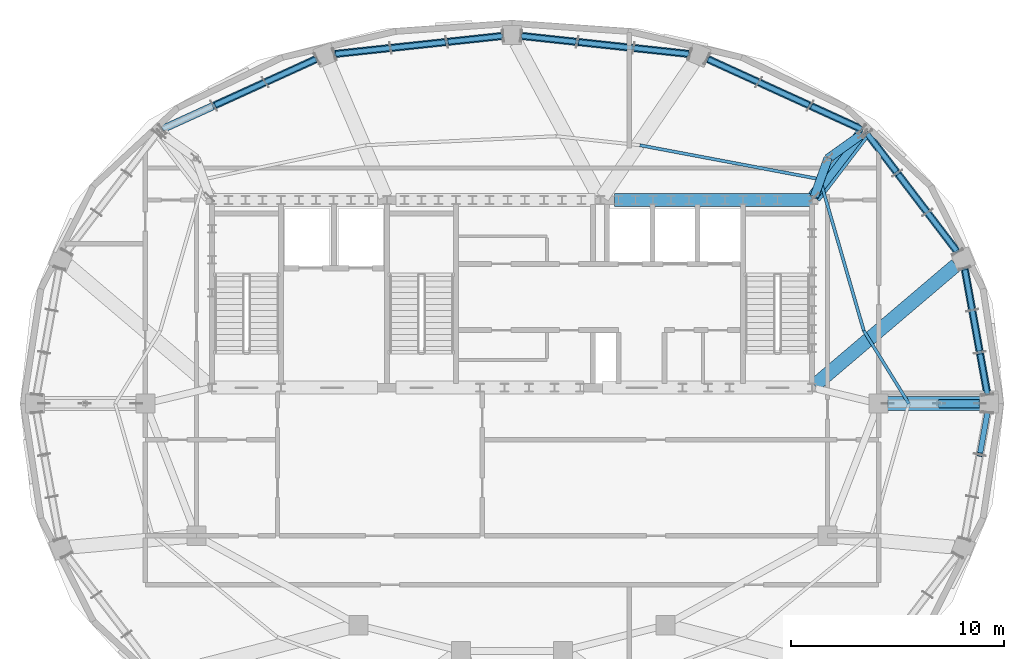
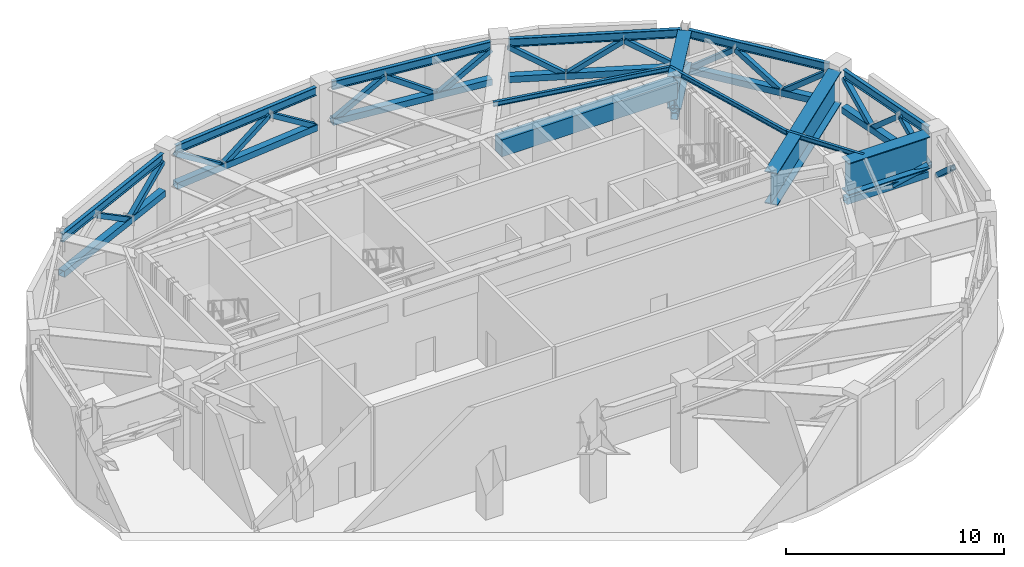
# One storey, part 3 of 15: 29 members, 13 beams.
"""IFC4 building model written with IfcOpenShell, lengths in metres."""

from ifc_helpers import new_model, si_unit, direction, frame, origin, origin_2d, place, context, subcontext, project, spatial, rectangle, hollow_rectangle, hollow_circle, i_section, extrude, material, material_profile, profile_set, type_object, element, save


model = new_model("IFC4")

# Units and contexts
model_context = context("Model", 3, precision=1e-05, world=origin(), true_north=direction((0.0, 1.0)))
body_context = subcontext(model_context, "Body", "Model", "MODEL_VIEW")
ifc_project = project(units=[si_unit("LENGTHUNIT", "METRE"), si_unit("AREAUNIT", "SQUARE_METRE"), si_unit("VOLUMEUNIT", "CUBIC_METRE"), si_unit("PLANEANGLEUNIT", "RADIAN"), si_unit("MASSUNIT", "GRAM", prefix="KILO")], contexts=[model_context])

# Site, building, storey
site_placement = place(None, origin())
site = spatial("IfcSite", under=ifc_project, at=site_placement, CompositionType="ELEMENT")
building_placement = place(site_placement, origin())
building = spatial("IfcBuilding", under=site, at=building_placement, Name="Haldorwick Loom Tower", CompositionType="ELEMENT")
storey_placement = place(building_placement, frame((0.0, 0.0, 286.5)))
storey = spatial("IfcBuildingStorey", under=building, at=storey_placement, Name="L77", CompositionType="ELEMENT", Elevation=286.5)

# Beams
ifc_material_1 = material(Name="Concrete C50 (50 MPa)", Category="concrete")
ifc_material_profile_1 = material_profile(ifc_material_1, rectangle(XDim=0.60009765625, YDim=0.949951171875, at=origin_2d()), Name="RC600X950", Category="concrete")
ifc_profile_set_1 = profile_set([ifc_material_profile_1], Name="Concrete C50 (50 MPa)")
beam_type_1 = type_object("IfcBeamType", Name="STR-BM-CB950", PredefinedType="LINTEL", material=ifc_profile_set_1)
beam_1_placement = place(storey_placement, frame((40.800048828125, 35.550048828125, 4.2451171875), z_axis=(1.0, 0.0, 0.0), x_axis=(0.0, 1.0, 0.0)))
element("IfcBeam", 1, at=beam_1_placement, inside=storey, type_object=beam_type_1, Name="L77 Core Coupling Beam CB-N3", PredefinedType="LINTEL", context=body_context, shape_type="SweptSolid", body=[
    extrude(rectangle(XDim=0.60009765625, YDim=0.949951171875, at=origin_2d()), origin(), (0.0, 0.0, 1.0), 9.300048828125),
])
ifc_material_2 = material(Name="Steel CSA G40.21 350W", Category="steel")
ifc_material_profile_2 = material_profile(ifc_material_2, i_section(OverallWidth=0.14599609375, OverallDepth=0.258056640625, WebThickness=0.006103515625, FlangeThickness=0.009033203125, at=origin_2d()), Name="W250X33", Category="steel")
ifc_profile_set_2 = profile_set([ifc_material_profile_2], Name="Steel CSA G40.21 350W")
beam_type_2 = type_object("IfcBeamType", Name="STR-BM-J250", PredefinedType="JOIST", material=ifc_profile_set_2)
beam_2_placement = place(storey_placement, frame((54.61669921875, 26.0, 4.591064453125), z_axis=(-0.525703769437, 0.850667706452, 0.0), x_axis=(-0.850667706452, -0.525703769437, 0.0)))
element("IfcBeam", 2, at=beam_2_placement, inside=storey, type_object=beam_type_2, Name="L77 Mid-Bay Secondary Joist 1", PredefinedType="JOIST", context=body_context, shape_type="SweptSolid", body=[
    extrude(i_section(OverallWidth=0.14599609375, OverallDepth=0.258056640625, WebThickness=0.006103515625, FlangeThickness=0.009033203125, at=origin_2d()), origin(), (0.0, 0.0, 1.0), 4.01708984375),
])
beam_3_placement = place(storey_placement, frame((52.5048828125, 29.417236328125, 4.591064453125), z_axis=(-0.27798758119, 0.96058466816, 0.0), x_axis=(-0.96058466816, -0.27798758119, 0.0)))
element("IfcBeam", 3, at=beam_3_placement, inside=storey, type_object=beam_type_2, Name="L77 Mid-Bay Secondary Joist 2", PredefinedType="JOIST", context=body_context, shape_type="SweptSolid", body=[
    extrude(i_section(OverallWidth=0.14599609375, OverallDepth=0.258056640625, WebThickness=0.006103515625, FlangeThickness=0.009033203125, at=origin_2d()), origin(), (0.0, 0.0, 1.0), 7.400146484375),
])
beam_4_placement = place(storey_placement, frame((50.44775390625, 36.525634765625, 4.591064453125), z_axis=(-0.982664581525, 0.185392341308, 0.0), x_axis=(-0.185392341308, -0.982664581525, 0.0)))
element("IfcBeam", 4, at=beam_4_placement, inside=storey, type_object=beam_type_2, Name="L77 Mid-Bay Secondary Joist 3", PredefinedType="JOIST", context=body_context, shape_type="SweptSolid", body=[
    extrude(i_section(OverallWidth=0.14599609375, OverallDepth=0.258056640625, WebThickness=0.006103515625, FlangeThickness=0.009033203125, at=origin_2d()), origin(), (0.0, 0.0, 1.0), 8.599365234375),
])
ifc_material_profile_3 = material_profile(ifc_material_2, i_section(OverallWidth=0.193115234375, OverallDepth=0.466064453125, WebThickness=0.011474609375, FlangeThickness=0.01904296875, at=origin_2d()), Name="W460X97", Category="steel")
ifc_profile_set_3 = profile_set([ifc_material_profile_3], Name="Steel CSA G40.21 350W")
beam_type_3 = type_object("IfcBeamType", Name="STR-BM-SP460", PredefinedType="SPANDREL", material=ifc_profile_set_3)
beam_5_placement = place(storey_placement, frame((58.30517578125, 26.418212890625, 4.487060546875), z_axis=(-0.177809893073, 0.984064856565, 0.0), x_axis=(-0.984064856565, -0.177809893073, 0.0)))
element("IfcBeam", 5, at=beam_5_placement, inside=storey, type_object=beam_type_3, Name="L77 Perimeter Spandrel 1", PredefinedType="SPANDREL", context=body_context, shape_type="SweptSolid", body=[
    extrude(i_section(OverallWidth=0.193115234375, OverallDepth=0.466064453125, WebThickness=0.011474609375, FlangeThickness=0.01904296875, at=origin_2d()), origin(), (0.0, 0.0, 1.0), 6.033203125),
])
beam_6_placement = place(storey_placement, frame((56.899169921875, 33.111572265625, 4.487060546875), z_axis=(-0.606384376075, 0.795171672315, 0.0), x_axis=(-0.795171672315, -0.606384376075, 0.0)))
element("IfcBeam", 6, at=beam_6_placement, inside=storey, type_object=beam_type_3, Name="L77 Perimeter Spandrel 2", PredefinedType="SPANDREL", context=body_context, shape_type="SweptSolid", body=[
    extrude(i_section(OverallWidth=0.193115234375, OverallDepth=0.466064453125, WebThickness=0.011474609375, FlangeThickness=0.01904296875, at=origin_2d()), origin(), (0.0, 0.0, 1.0), 6.984619140625),
])
beam_7_placement = place(storey_placement, frame((52.40380859375, 38.873046875, 4.487060546875), z_axis=(-0.910060964072, 0.414474416185, 0.0), x_axis=(-0.414474416185, -0.910060964072, 0.0)))
element("IfcBeam", 7, at=beam_7_placement, inside=storey, type_object=beam_type_3, Name="L77 Perimeter Spandrel 3", PredefinedType="SPANDREL", context=body_context, shape_type="SweptSolid", body=[
    extrude(i_section(OverallWidth=0.193115234375, OverallDepth=0.466064453125, WebThickness=0.011474609375, FlangeThickness=0.01904296875, at=origin_2d()), origin(), (0.0, 0.0, 1.0), 7.97021484375),
])
for number, where, z_axis, x_axis, name in (
    (8, (44.3408203125, 42.398193359375, 4.487060546875), (-0.994266744602, 0.106928202916, 0.0), (-0.106928202916, -0.994266744602, 0.0), "L77 Perimeter Spandrel 4"),
    (9, (35.577392578125, 43.249755859375, 4.487060546875), (-0.994266744602, -0.106928202916, 0.0), (0.106928202916, -0.994266744602, 0.0), "L77 Perimeter Spandrel 5"),
):
    element("IfcBeam", number, at=place(storey_placement, frame(where, z_axis=z_axis, x_axis=x_axis)), inside=storey, type_object=beam_type_3, Name=name, PredefinedType="SPANDREL", context=body_context, shape_type="SweptSolid", body=[
        extrude(i_section(OverallWidth=0.193115234375, OverallDepth=0.466064453125, WebThickness=0.011474609375, FlangeThickness=0.01904296875, at=origin_2d()), origin(), (0.0, 0.0, 1.0), 7.9638671875),
    ])
beam_8_placement = place(storey_placement, frame((26.849609375, 42.176513671875, 4.487060546875), z_axis=(-0.910060964072, -0.414474416185, 0.0), x_axis=(0.414474416185, -0.910060964072, 0.0)))
element("IfcBeam", 10, at=beam_8_placement, inside=storey, type_object=beam_type_3, Name="L77 Perimeter Spandrel 6", PredefinedType="SPANDREL", context=body_context, shape_type="SweptSolid", body=[
    extrude(i_section(OverallWidth=0.193115234375, OverallDepth=0.466064453125, WebThickness=0.011474609375, FlangeThickness=0.01904296875, at=origin_2d()), origin(), (0.0, 0.0, 1.0), 7.97021484375),
])
ifc_material_3 = material(Name="Steel CSA G40.21 350WT", Category="steel")
ifc_material_profile_4 = material_profile(ifc_material_3, i_section(OverallWidth=0.64990234375, OverallDepth=1.800048828125, WebThickness=0.02587890625, FlangeThickness=0.048095703125, at=origin_2d()), Name="WWF1800X650", Category="steel")
ifc_profile_set_4 = profile_set([ifc_material_profile_4], Name="Steel CSA G40.21 350WT")
beam_type_4 = type_object("IfcBeamType", Name="STR-BM-TG1800", PredefinedType="BEAM", material=ifc_profile_set_4)
beam_9_placement = place(storey_placement, frame((53.625, 26.0, 3.820068359375), z_axis=(1.0, 0.0, 0.0), x_axis=(0.0, 1.0, 0.0)))
element("IfcBeam", 11, at=beam_9_placement, inside=storey, type_object=beam_type_4, Name="L77 Setback Inner Transfer Girder 1", PredefinedType="BEAM", context=body_context, shape_type="SweptSolid", body=[
    extrude(i_section(OverallWidth=0.64990234375, OverallDepth=1.800048828125, WebThickness=0.02587890625, FlangeThickness=0.048095703125, at=origin_2d()), origin(), (0.0, 0.0, 1.0), 4.330810546875),
])
beam_10_placement = place(storey_placement, frame((50.20068359375, 26.861083984375, 3.820068359375), z_axis=(0.761954542494, 0.647630508216, 0.0), x_axis=(-0.647630508216, 0.761954542494, 0.0)))
element("IfcBeam", 12, at=beam_10_placement, inside=storey, type_object=beam_type_4, Name="L77 Setback Inner Transfer Girder 2", PredefinedType="BEAM", context=body_context, shape_type="SweptSolid", body=[
    extrude(i_section(OverallWidth=0.64990234375, OverallDepth=1.800048828125, WebThickness=0.02587890625, FlangeThickness=0.048095703125, at=origin_2d()), origin(), (0.0, 0.0, 1.0), 8.704345703125),
])
beam_11_placement = place(storey_placement, frame((50.17431640625, 35.686279296875, 3.820068359375), z_axis=(0.607923320425, 0.793995740847, 0.0), x_axis=(-0.793995740847, 0.607923320425, 0.0)))
element("IfcBeam", 13, at=beam_11_placement, inside=storey, type_object=beam_type_4, Name="L77 Setback Inner Transfer Girder 3", PredefinedType="BEAM", context=body_context, shape_type="SweptSolid", body=[
    extrude(i_section(OverallWidth=0.64990234375, OverallDepth=1.800048828125, WebThickness=0.02587890625, FlangeThickness=0.048095703125, at=origin_2d()), origin(), (0.0, 0.0, 1.0), 3.75244140625),
])

# Members
ifc_material_profile_5 = material_profile(ifc_material_2, hollow_rectangle(XDim=0.25390625, YDim=0.25390625, WallThickness=0.0126953125, at=origin_2d()), Name="HSS254X254X13", Category="steel")
ifc_profile_set_5 = profile_set([ifc_material_profile_5], Name="Steel CSA G40.21 350W")
member_type_1 = type_object("IfcMemberType", Name="STR-MEM-BR254", PredefinedType="BRACE", material=ifc_profile_set_5)
for number, where, z_axis, x_axis, name in (
    (14, (58.30517578125, 26.418212890625, 2.5), (-0.134035654737, 0.741633458906, 0.65727791374), (-0.984057775146, -0.177849079767, 0.0), "L77 Perimeter Belt Truss Web Diagonal 1-1"),
    (15, (57.947509765625, 28.397216796875, 4.25390625), (-0.133945804873, 0.741642550753, -0.657285971454), (-0.984079015025, -0.177731517147, 0.0), "L77 Perimeter Belt Truss Web Diagonal 1-2"),
    (16, (57.590087890625, 30.376220703125, 2.5), (-0.134035654737, 0.741633458906, 0.65727791374), (-0.984057775146, -0.177849079767, 0.0), "L77 Perimeter Belt Truss Web Diagonal 1-3"),
):
    element("IfcMember", number, at=place(storey_placement, frame(where, z_axis=z_axis, x_axis=x_axis)), inside=storey, type_object=member_type_1, Name=name, PredefinedType="BRACE", context=body_context, shape_type="SweptSolid", body=[
        extrude(hollow_rectangle(XDim=0.25390625, YDim=0.25390625, WallThickness=0.0126953125, at=origin_2d()), origin(), (0.0, 0.0, 1.0), 2.66845703125),
    ])
member_1_placement = place(storey_placement, frame((56.899169921875, 33.111572265625, 4.25390625), z_axis=(-0.484353249728, 0.635111653586, -0.601693540731), x_axis=(-0.795154818191, -0.606406476803, 0.0)))
element("IfcMember", 17, at=member_1_placement, inside=storey, type_object=member_type_1, Name="L77 Perimeter Belt Truss Web Diagonal 2-1", PredefinedType="BRACE", context=body_context, shape_type="SweptSolid", body=[
    extrude(hollow_rectangle(XDim=0.25390625, YDim=0.25390625, WallThickness=0.0126953125, at=origin_2d()), origin(), (0.0, 0.0, 1.0), 2.9150390625),
])
member_2_placement = place(storey_placement, frame((55.4873046875, 34.962890625, 2.5), z_axis=(-0.484289139842, 0.635137417403, 0.601717948915), x_axis=(-0.795205380865, -0.606340170402, 0.0)))
element("IfcMember", 18, at=member_2_placement, inside=storey, type_object=member_type_1, Name="L77 Perimeter Belt Truss Web Diagonal 2-2", PredefinedType="BRACE", context=body_context, shape_type="SweptSolid", body=[
    extrude(hollow_rectangle(XDim=0.25390625, YDim=0.25390625, WallThickness=0.0126953125, at=origin_2d()), origin(), (0.0, 0.0, 1.0), 2.914794921875),
])
member_3_placement = place(storey_placement, frame((54.07568359375, 36.814208984375, 4.25390625), z_axis=(-0.484353249728, 0.635111653586, -0.601693540731), x_axis=(-0.795154818191, -0.606406476803, 0.0)))
element("IfcMember", 19, at=member_3_placement, inside=storey, type_object=member_type_1, Name="L77 Perimeter Belt Truss Web Diagonal 2-3", PredefinedType="BRACE", context=body_context, shape_type="SweptSolid", body=[
    extrude(hollow_rectangle(XDim=0.25390625, YDim=0.25390625, WallThickness=0.0126953125, at=origin_2d()), origin(), (0.0, 0.0, 1.0), 2.9150390625),
])
member_4_placement = place(storey_placement, frame((52.40380859375, 38.873046875, 2.5), z_axis=(-0.759462024958, 0.345949025001, 0.550941652762), x_axis=(-0.414536708105, -0.910032591523, 0.0)))
element("IfcMember", 20, at=member_4_placement, inside=storey, type_object=member_type_1, Name="L77 Perimeter Belt Truss Web Diagonal 3-1", PredefinedType="BRACE", context=body_context, shape_type="SweptSolid", body=[
    extrude(hollow_rectangle(XDim=0.25390625, YDim=0.25390625, WallThickness=0.0126953125, at=origin_2d()), origin(), (0.0, 0.0, 1.0), 3.183349609375),
])
member_5_placement = place(storey_placement, frame((49.986083984375, 39.974365234375, 4.25390625), z_axis=(-0.759514624974, 0.345861364967, -0.550924178697), x_axis=(-0.414425940169, -0.91008304023, 0.0)))
element("IfcMember", 21, at=member_5_placement, inside=storey, type_object=member_type_1, Name="L77 Perimeter Belt Truss Web Diagonal 3-2", PredefinedType="BRACE", context=body_context, shape_type="SweptSolid", body=[
    extrude(hollow_rectangle(XDim=0.25390625, YDim=0.25390625, WallThickness=0.0126953125, at=origin_2d()), origin(), (0.0, 0.0, 1.0), 3.18359375),
])
member_6_placement = place(storey_placement, frame((47.568115234375, 41.075439453125, 2.5), z_axis=(-0.75948217271, 0.345881510545, 0.550956268681), x_axis=(-0.414460600356, -0.91006725617, 0.0)))
element("IfcMember", 22, at=member_6_placement, inside=storey, type_object=member_type_1, Name="L77 Perimeter Belt Truss Web Diagonal 3-3", PredefinedType="BRACE", context=body_context, shape_type="SweptSolid", body=[
    extrude(hollow_rectangle(XDim=0.25390625, YDim=0.25390625, WallThickness=0.0126953125, at=origin_2d()), origin(), (0.0, 0.0, 1.0), 3.183349609375),
])
for number, where, z_axis, x_axis, name in (
    (23, (44.3408203125, 42.398193359375, 4.25390625), (-0.829561642325, 0.089163872758, -0.551250655671), (-0.106867591297, -0.994273261197, 0.0), "L77 Perimeter Belt Truss Web Diagonal 4-1"),
    (24, (41.701416015625, 42.681884765625, 2.5), (-0.829555964229, 0.089239995042, 0.551246882529), (-0.106958508278, -0.994263484951, 0.0), "L77 Perimeter Belt Truss Web Diagonal 4-2"),
    (25, (39.06201171875, 42.9658203125, 4.25390625), (-0.829555964229, 0.089239995042, -0.551246882529), (-0.106958508278, -0.994263484951, 0.0), "L77 Perimeter Belt Truss Web Diagonal 4-3"),
    (26, (35.577392578125, 43.249755859375, 2.5), (-0.829555964229, -0.089239995042, 0.551246882529), (0.106958508278, -0.994263484951, 0.0), "L77 Perimeter Belt Truss Web Diagonal 5-1"),
    (27, (32.93798828125, 42.9658203125, 4.25390625), (-0.829555964229, -0.089239995042, -0.551246882529), (0.106958508278, -0.994263484951, 0.0), "L77 Perimeter Belt Truss Web Diagonal 5-2"),
    (28, (30.298583984375, 42.681884765625, 2.5), (-0.829561642325, -0.089163872758, 0.551250655671), (0.106867591297, -0.994273261197, 0.0), "L77 Perimeter Belt Truss Web Diagonal 5-3"),
):
    element("IfcMember", number, at=place(storey_placement, frame(where, z_axis=z_axis, x_axis=x_axis)), inside=storey, type_object=member_type_1, Name=name, PredefinedType="BRACE", context=body_context, shape_type="SweptSolid", body=[
        extrude(hollow_rectangle(XDim=0.25390625, YDim=0.25390625, WallThickness=0.0126953125, at=origin_2d()), origin(), (0.0, 0.0, 1.0), 3.181640625),
    ])
member_7_placement = place(storey_placement, frame((26.849609375, 42.176513671875, 4.25390625), z_axis=(-0.75948217271, -0.345881510545, -0.550956268681), x_axis=(0.414460600356, -0.91006725617, 0.0)))
element("IfcMember", 29, at=member_7_placement, inside=storey, type_object=member_type_1, Name="L77 Perimeter Belt Truss Web Diagonal 6-1", PredefinedType="BRACE", context=body_context, shape_type="SweptSolid", body=[
    extrude(hollow_rectangle(XDim=0.25390625, YDim=0.25390625, WallThickness=0.0126953125, at=origin_2d()), origin(), (0.0, 0.0, 1.0), 3.183349609375),
])
member_8_placement = place(storey_placement, frame((24.431884765625, 41.075439453125, 2.5), z_axis=(-0.759514624974, -0.345861364967, 0.550924178697), x_axis=(0.414425940169, -0.91008304023, 0.0)))
element("IfcMember", 30, at=member_8_placement, inside=storey, type_object=member_type_1, Name="L77 Perimeter Belt Truss Web Diagonal 6-2", PredefinedType="BRACE", context=body_context, shape_type="SweptSolid", body=[
    extrude(hollow_rectangle(XDim=0.25390625, YDim=0.25390625, WallThickness=0.0126953125, at=origin_2d()), origin(), (0.0, 0.0, 1.0), 3.18359375),
])
member_9_placement = place(storey_placement, frame((57.947509765625, 23.602783203125, 4.25390625), z_axis=(0.134035654737, 0.741633458906, -0.65727791374), x_axis=(-0.984057775146, 0.177849079767, 0.0)))
element("IfcMember", 31, at=member_9_placement, inside=storey, type_object=member_type_1, Name="L77 Perimeter Belt Truss Web Diagonal 16-3", PredefinedType="BRACE", context=body_context, shape_type="SweptSolid", body=[
    extrude(hollow_rectangle(XDim=0.25390625, YDim=0.25390625, WallThickness=0.0126953125, at=origin_2d()), origin(), (0.0, 0.0, 1.0), 2.66845703125),
])
ifc_material_profile_6 = material_profile(ifc_material_2, hollow_circle(Radius=0.203125, WallThickness=0.0126953125, at=origin_2d()), Name="HSS406X13", Category="steel")
ifc_profile_set_6 = profile_set([ifc_material_profile_6], Name="Steel CSA G40.21 350W")
member_type_2 = type_object("IfcMemberType", Name="STR-MEM-BR406C", PredefinedType="BRACE", material=ifc_profile_set_6)
member_10_placement = place(storey_placement, frame((56.03369140625, 26.0, 2.5), z_axis=(0.976957458793, 0.0, 0.2134341203), x_axis=(0.0, 1.0, 0.0)))
element("IfcMember", 32, at=member_10_placement, inside=storey, type_object=member_type_2, Name="L77 Outrigger OT-E Outer Diagonal", PredefinedType="BRACE", context=body_context, shape_type="SweptSolid", body=[
    extrude(hollow_circle(Radius=0.203125, WallThickness=0.0126953125, at=origin_2d()), origin(), (0.0, 0.0, 1.0), 1.967529296875),
])
member_11_placement = place(storey_placement, frame((50.17431640625, 35.686279296875, 2.919921875), z_axis=(0.329949841643, 0.919702708202, -0.212791048979), x_axis=(-0.94125969402, 0.337683562544, 0.0)))
element("IfcMember", 33, at=member_11_placement, inside=storey, type_object=member_type_2, Name="L77 Outrigger OT-NE Inner Diagonal", PredefinedType="BRACE", context=body_context, shape_type="SweptSolid", body=[
    extrude(hollow_circle(Radius=0.203125, WallThickness=0.0126953125, at=origin_2d()), origin(), (0.0, 0.0, 1.0), 1.973388671875),
])
member_12_placement = place(storey_placement, frame((50.825439453125, 37.501220703125, 2.5), z_axis=(0.79638559107, 0.56893204574, 0.20514950077), x_axis=(-0.581295831091, 0.813692298573, 0.0)))
element("IfcMember", 34, at=member_12_placement, inside=storey, type_object=member_type_2, Name="L77 Outrigger OT-NE Outer Diagonal", PredefinedType="BRACE", context=body_context, shape_type="SweptSolid", body=[
    extrude(hollow_circle(Radius=0.203125, WallThickness=0.0126953125, at=origin_2d()), origin(), (0.0, 0.0, 1.0), 2.046875),
])
ifc_material_profile_7 = material_profile(ifc_material_2, hollow_rectangle(XDim=0.355712890625, YDim=0.355712890625, WallThickness=0.015869140625, at=origin_2d()), Name="HSS356X356X16", Category="steel")
ifc_profile_set_7 = profile_set([ifc_material_profile_7], Name="Steel CSA G40.21 350W")
member_type_3 = type_object("IfcMemberType", Name="STR-MEM-CH356", PredefinedType="CHORD", material=ifc_profile_set_7)
member_13_placement = place(storey_placement, frame((58.30517578125, 26.418212890625, 2.5), z_axis=(-0.177809893073, 0.984064856565, 0.0), x_axis=(-0.984064856565, -0.177809893073, 0.0)))
element("IfcMember", 35, at=member_13_placement, inside=storey, type_object=member_type_3, Name="L77 Perimeter Belt Truss Bottom Chord 1", PredefinedType="CHORD", context=body_context, shape_type="SweptSolid", body=[
    extrude(hollow_rectangle(XDim=0.355712890625, YDim=0.355712890625, WallThickness=0.015869140625, at=origin_2d()), origin(), (0.0, 0.0, 1.0), 6.033203125),
])
member_14_placement = place(storey_placement, frame((56.899169921875, 33.111572265625, 2.5), z_axis=(-0.606384376075, 0.795171672315, 0.0), x_axis=(-0.795171672315, -0.606384376075, 0.0)))
element("IfcMember", 36, at=member_14_placement, inside=storey, type_object=member_type_3, Name="L77 Perimeter Belt Truss Bottom Chord 2", PredefinedType="CHORD", context=body_context, shape_type="SweptSolid", body=[
    extrude(hollow_rectangle(XDim=0.355712890625, YDim=0.355712890625, WallThickness=0.015869140625, at=origin_2d()), origin(), (0.0, 0.0, 1.0), 6.984619140625),
])
member_15_placement = place(storey_placement, frame((52.40380859375, 38.873046875, 2.5), z_axis=(-0.910060964072, 0.414474416185, 0.0), x_axis=(-0.414474416185, -0.910060964072, 0.0)))
element("IfcMember", 37, at=member_15_placement, inside=storey, type_object=member_type_3, Name="L77 Perimeter Belt Truss Bottom Chord 3", PredefinedType="CHORD", context=body_context, shape_type="SweptSolid", body=[
    extrude(hollow_rectangle(XDim=0.355712890625, YDim=0.355712890625, WallThickness=0.015869140625, at=origin_2d()), origin(), (0.0, 0.0, 1.0), 7.97021484375),
])
for number, where, z_axis, x_axis, name in (
    (38, (44.3408203125, 42.398193359375, 2.5), (-0.994266744602, 0.106928202916, 0.0), (-0.106928202916, -0.994266744602, 0.0), "L77 Perimeter Belt Truss Bottom Chord 4"),
    (39, (35.577392578125, 43.249755859375, 2.5), (-0.994266744602, -0.106928202916, 0.0), (0.106928202916, -0.994266744602, 0.0), "L77 Perimeter Belt Truss Bottom Chord 5"),
):
    element("IfcMember", number, at=place(storey_placement, frame(where, z_axis=z_axis, x_axis=x_axis)), inside=storey, type_object=member_type_3, Name=name, PredefinedType="CHORD", context=body_context, shape_type="SweptSolid", body=[
        extrude(hollow_rectangle(XDim=0.355712890625, YDim=0.355712890625, WallThickness=0.015869140625, at=origin_2d()), origin(), (0.0, 0.0, 1.0), 7.9638671875),
    ])
member_16_placement = place(storey_placement, frame((26.849609375, 42.176513671875, 2.5), z_axis=(-0.910060964072, -0.414474416185, 0.0), x_axis=(0.414474416185, -0.910060964072, 0.0)))
element("IfcMember", 40, at=member_16_placement, inside=storey, type_object=member_type_3, Name="L77 Perimeter Belt Truss Bottom Chord 6", PredefinedType="CHORD", context=body_context, shape_type="SweptSolid", body=[
    extrude(hollow_rectangle(XDim=0.355712890625, YDim=0.355712890625, WallThickness=0.015869140625, at=origin_2d()), origin(), (0.0, 0.0, 1.0), 7.97021484375),
])
member_17_placement = place(storey_placement, frame((53.625, 26.0, 2.5), z_axis=(1.0, 0.0, 0.0), x_axis=(0.0, 1.0, 0.0)))
element("IfcMember", 41, at=member_17_placement, inside=storey, type_object=member_type_3, Name="L77 Outrigger OT-E Bottom Chord", PredefinedType="CHORD", context=body_context, shape_type="SweptSolid", body=[
    extrude(hollow_rectangle(XDim=0.355712890625, YDim=0.355712890625, WallThickness=0.015869140625, at=origin_2d()), origin(), (0.0, 0.0, 1.0), 4.330810546875),
])
member_18_placement = place(storey_placement, frame((50.17431640625, 35.686279296875, 2.5), z_axis=(0.607923320425, 0.793995740847, 0.0), x_axis=(-0.793995740847, 0.607923320425, 0.0)))
element("IfcMember", 42, at=member_18_placement, inside=storey, type_object=member_type_3, Name="L77 Outrigger OT-NE Bottom Chord", PredefinedType="CHORD", context=body_context, shape_type="SweptSolid", body=[
    extrude(hollow_rectangle(XDim=0.355712890625, YDim=0.355712890625, WallThickness=0.015869140625, at=origin_2d()), origin(), (0.0, 0.0, 1.0), 3.75244140625),
])

save(model, "model.ifc")
